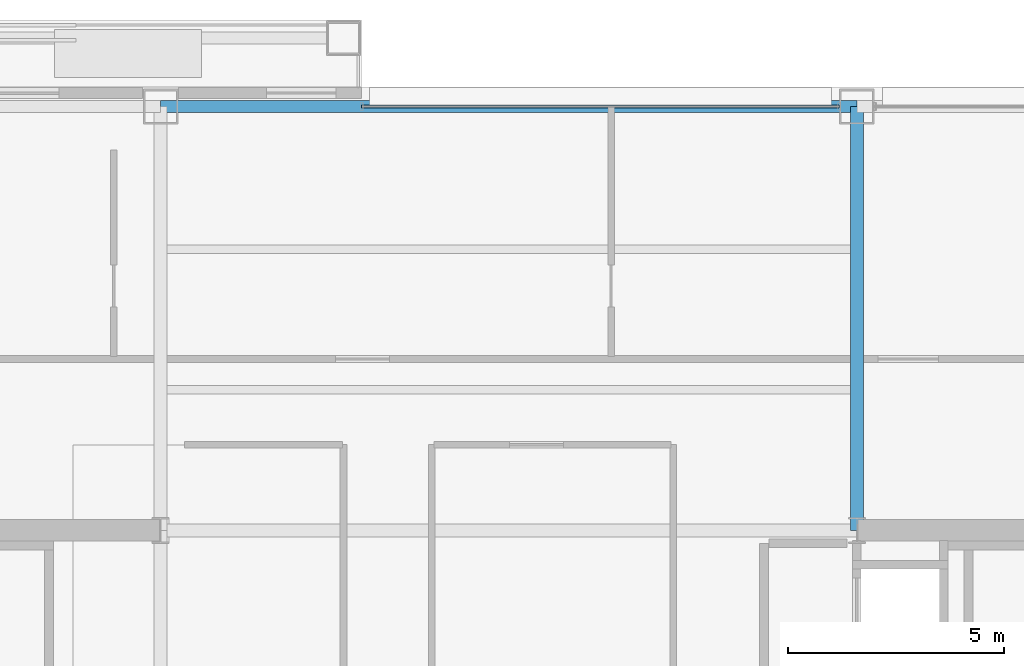
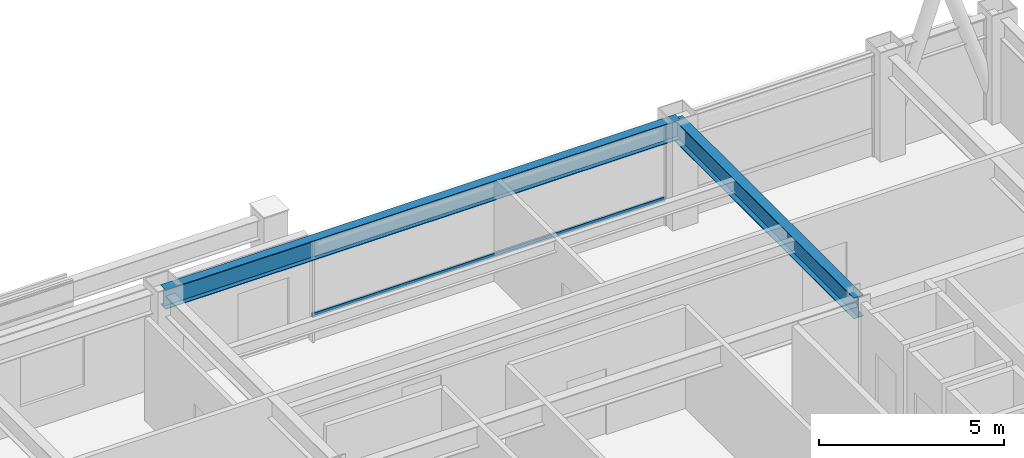
# One storey, part 22 of 33: 2 beams, 1 member, 1 element without a shape of its own.
"""IFC4 building model written with IfcOpenShell, lengths in metres."""

from ifc_helpers import new_model, si_unit, direction, frame, origin, origin_2d, place, context, subcontext, project, spatial, hollow_rectangle, i_section, extrude, material, layer, layer_set, material_profile, profile_set, type_object, element, aggregate, save


model = new_model("IFC4")

# Units and contexts
model_context = context("Model", 3, precision=1e-05, world=origin(), true_north=direction((0.0, 1.0)))
body_context = subcontext(model_context, "Body", "Model", "MODEL_VIEW")
ifc_project = project(units=[si_unit("LENGTHUNIT", "METRE"), si_unit("AREAUNIT", "SQUARE_METRE"), si_unit("VOLUMEUNIT", "CUBIC_METRE"), si_unit("PLANEANGLEUNIT", "RADIAN"), si_unit("MASSUNIT", "GRAM", prefix="KILO")], contexts=[model_context])

# Site, building, storey
site_placement = place(None, origin())
site = spatial("IfcSite", under=ifc_project, at=site_placement, CompositionType="ELEMENT")
building_placement = place(site_placement, origin())
building = spatial("IfcBuilding", under=site, at=building_placement, Name="Brelmoor Portico Tower", CompositionType="ELEMENT")
storey_placement = place(building_placement, frame((0.0, 0.0, 120.60009765625)))
storey = spatial("IfcBuildingStorey", under=building, at=storey_placement, Name="L31", CompositionType="ELEMENT", Elevation=120.60009765625)

# Beams
ifc_material_1 = material(Name="Steel Q355B", Category="steel")
ifc_material_profile_1 = material_profile(ifc_material_1, i_section(OverallWidth=0.300048828125, OverallDepth=0.699951171875, WebThickness=0.012939453125, FlangeThickness=0.02392578125, at=origin_2d()), Name="HN 700x300x13x24")
ifc_profile_set_1 = profile_set([ifc_material_profile_1], Name="Steel Q355B")
beam_type_1 = type_object("IfcBeamType", Name="BM-PG-700", PredefinedType="BEAM", material=ifc_profile_set_1)
beam_1_placement = place(storey_placement, frame((8.050048828125, 9.75, 3.0498046875), z_axis=(0.0, 1.0, 0.0), x_axis=(-1.0, 0.0, 0.0)))
element("IfcBeam", 1, at=beam_1_placement, inside=storey, type_object=beam_type_1, Name="L31 Primary Floor Girder PG-09", PredefinedType="BEAM", context=body_context, shape_type="SweptSolid", body=[
    extrude(i_section(OverallWidth=0.300048828125, OverallDepth=0.699951171875, WebThickness=0.012939453125, FlangeThickness=0.02392578125, at=origin_2d()), origin(), (0.0, 0.0, 1.0), 9.800048828125),
])
ifc_material_profile_2 = material_profile(ifc_material_1, i_section(OverallWidth=0.280029296875, OverallDepth=0.64990234375, WebThickness=0.012939453125, FlangeThickness=0.02197265625, at=origin_2d()), Name="HN 650x280x13x22")
ifc_profile_set_2 = profile_set([ifc_material_profile_2], Name="Steel Q355B")
beam_type_2 = type_object("IfcBeamType", Name="BM-SP-650", PredefinedType="SPANDREL", material=ifc_profile_set_2)
beam_2_placement = place(storey_placement, frame((-8.050048828125, 19.550048828125, 3.074951171875), z_axis=(1.0, 0.0, 0.0), x_axis=(0.0, 1.0, 0.0)))
element("IfcBeam", 2, at=beam_2_placement, inside=storey, type_object=beam_type_2, Name="L31 Perimeter Spandrel Beam SP-12", PredefinedType="SPANDREL", context=body_context, shape_type="SweptSolid", body=[
    extrude(i_section(OverallWidth=0.280029296875, OverallDepth=0.64990234375, WebThickness=0.012939453125, FlangeThickness=0.02197265625, at=origin_2d()), origin(), (0.0, 0.0, 1.0), 16.10009765625),
])

# Curtain wall, member
ifc_material_2 = material(Name="Anodised Aluminium Alloy 6063-T6", Category="aluminium")
ifc_layer = layer(ifc_material_2, 0.179931640625)
ifc_layer_set = layer_set([ifc_layer], Name="Anodised Aluminium Alloy 6063-T6")
curtain_wall_type = type_object("IfcCurtainWallType", Name="CW-TOWER-Z2", PredefinedType="NOTDEFINED", material=ifc_layer_set)
curtain_wall_placement = place(storey_placement, origin())
curtain_wall = element("IfcCurtainWall", 3, at=curtain_wall_placement, inside=storey, type_object=curtain_wall_type, Name="L31 Curtain Wall CW-L31-2R-1", PredefinedType="NOTDEFINED")
ifc_material_profile_3 = material_profile(ifc_material_2, hollow_rectangle(XDim=0.06494140625, YDim=0.139892578125, WallThickness=0.00390625, at=origin_2d()), Name="ALU TRANSOM 65x140")
ifc_profile_set_3 = profile_set([ifc_material_profile_3], Name="Anodised Aluminium Alloy 6063-T6")
member_type = type_object("IfcMemberType", Name="MB-CW-TRAN-140", PredefinedType="USERDEFINED", material=ifc_profile_set_3)
member_placement = place(storey_placement, frame((-3.39990234375, 19.550048828125, 0.849853515625), z_axis=(1.0, 0.0, 0.0), x_axis=(0.0, 1.0, 0.0)))
member = element("IfcMember", 4, at=member_placement, type_object=member_type, Name="CW-L31-2R-1 Transom 1-00", ObjectType="TRANSOM", PredefinedType="USERDEFINED", context=body_context, shape_type="SweptSolid", body=[
    extrude(hollow_rectangle(XDim=0.06494140625, YDim=0.139892578125, WallThickness=0.00390625, at=origin_2d()), origin(), (0.0, 0.0, 1.0), 11.039794921875),
])
aggregate(curtain_wall, [member])

save(model, "model.ifc")
